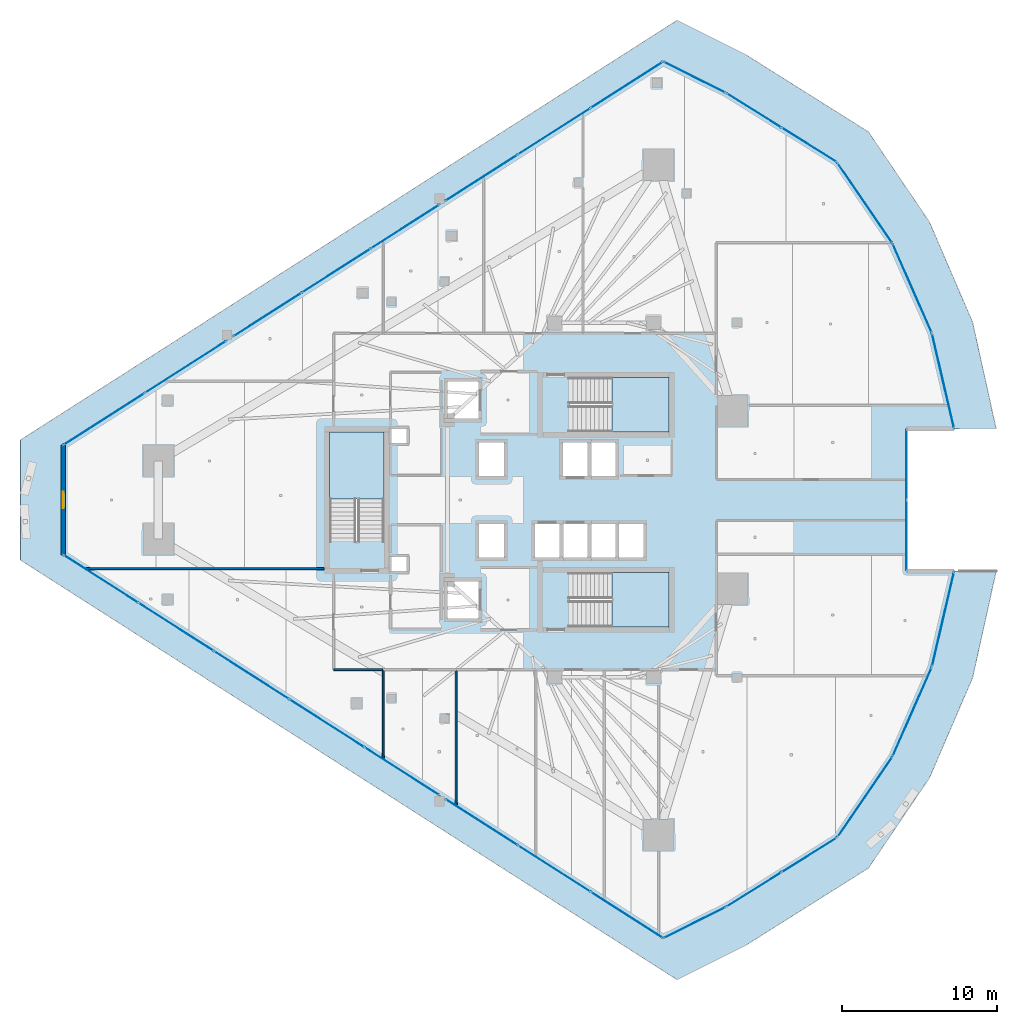
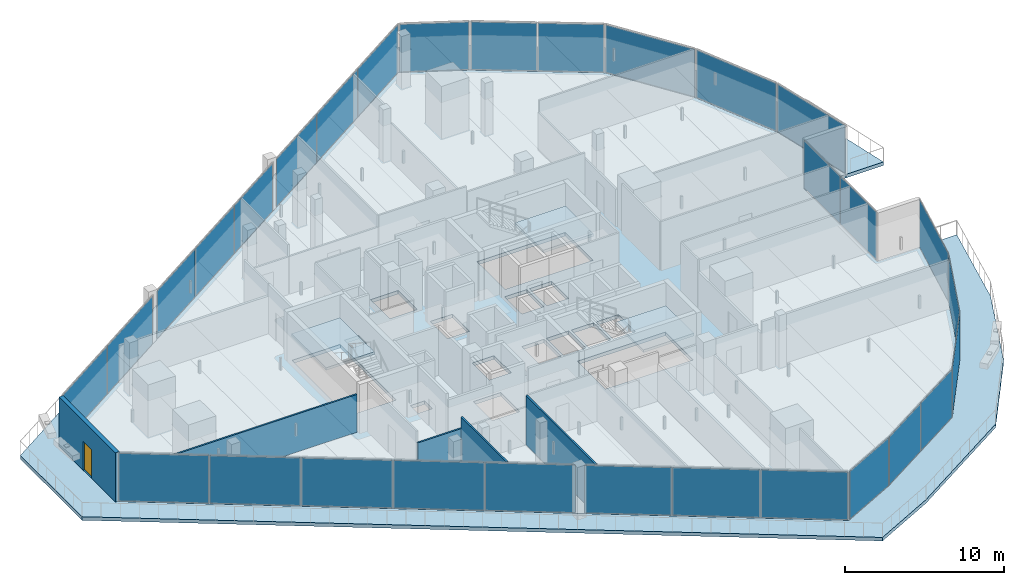
# One storey, part 24 of 37: 30 plates, 5 slabs, 5 walls, 1 door, 1 opening, 19 elements without a shape of their own.
"""IFC4 building model written with IfcOpenShell, lengths in metres."""

from ifc_helpers import new_model, si_unit, direction, frame, frame_2d, origin, origin_2d, place, context, subcontext, project, spatial, polyline, rectangle, outline, extrude, material, layer, layer_set, type_object, element, fill, aggregate, save


model = new_model("IFC4")

# Units and contexts
model_context = context("Model", 3, precision=1e-05, world=origin(), true_north=direction((0.0, 1.0)))
body_context = subcontext(model_context, "Body", "Model", "MODEL_VIEW")
ifc_project = project(units=[si_unit("LENGTHUNIT", "METRE"), si_unit("AREAUNIT", "SQUARE_METRE"), si_unit("VOLUMEUNIT", "CUBIC_METRE"), si_unit("PLANEANGLEUNIT", "RADIAN"), si_unit("MASSUNIT", "GRAM", prefix="KILO")], contexts=[model_context])

# Site, building, storey
site_placement = place(None, origin())
site = spatial("IfcSite", under=ifc_project, at=site_placement, CompositionType="ELEMENT")
building_placement = place(site_placement, origin())
building = spatial("IfcBuilding", under=site, at=building_placement, Name="Qorvath Tower", CompositionType="ELEMENT")
storey_placement = place(building_placement, frame((0.0, 0.0, 184.800048828125)))
storey = spatial("IfcBuildingStorey", under=building, at=storey_placement, Name="L42", CompositionType="ELEMENT", Elevation=184.800048828125)

# Curtain wall, plates
ifc_material_1 = material(Name="Anodised aluminium and triple low-E glass", Category="aluminium")
ifc_layer_1 = layer(ifc_material_1, 0.179931640625)
ifc_layer_set_1 = layer_set([ifc_layer_1], Name="CW-SYS-3")
curtain_wall_type = type_object("IfcCurtainWallType", Name="CW-SYS-3", PredefinedType="NOTDEFINED", material=ifc_layer_set_1)
curtain_wall_1_placement = place(storey_placement, origin())
curtain_wall_1 = element("IfcCurtainWall", 1, at=curtain_wall_1_placement, inside=storey, type_object=curtain_wall_type, Name="Curtain Wall CW-3 CW-T-L42-2.1", PredefinedType="NOTDEFINED")
ifc_material_2 = material(Name="Low-E triple insulated glass", Category="glass")
ifc_layer_2 = layer(ifc_material_2, 0.031982421875)
ifc_layer_set_2 = layer_set([ifc_layer_2], Name="CWP-GLZ-32")
plate_type = type_object("IfcPlateType", Name="CWP-GLZ-32", PredefinedType="CURTAIN_PANEL", material=ifc_layer_set_2)
plate_1_placement = place(storey_placement, frame((-52.881103515625, -5.103515625, 0.06494140625), z_axis=(0.0, 0.0, 1.0), x_axis=(0.842606647014, -0.53852951489, 0.0)))
plate_1 = element("IfcPlate", 2, at=plate_1_placement, type_object=plate_type, Name="CW-3 panel 1.1", PredefinedType="CURTAIN_PANEL", context=body_context, shape_type="SweptSolid", body=[
    extrude(rectangle(XDim=5.677734375, YDim=0.031982421875, at=origin_2d()), origin(), (0.0, 0.0, 1.0), 3.650146484375),
])
plate_2_placement = place(storey_placement, frame((-48.028564453125, -8.204833984375, 0.06494140625), z_axis=(0.0, 0.0, 1.0), x_axis=(0.842606647014, -0.53852951489, 0.0)))
plate_2 = element("IfcPlate", 3, at=plate_2_placement, type_object=plate_type, Name="CW-3 panel 2.1", PredefinedType="CURTAIN_PANEL", context=body_context, shape_type="SweptSolid", body=[
    extrude(rectangle(XDim=5.710205078125, YDim=0.031982421875, at=origin_2d()), origin(), (0.0, 0.0, 1.0), 3.650146484375),
])
plate_3_placement = place(storey_placement, frame((-43.162353515625, -11.31494140625, 0.06494140625), z_axis=(0.0, 0.0, 1.0), x_axis=(0.842606647014, -0.53852951489, 0.0)))
plate_3 = element("IfcPlate", 4, at=plate_3_placement, type_object=plate_type, Name="CW-3 panel 3.1", PredefinedType="CURTAIN_PANEL", context=body_context, shape_type="SweptSolid", body=[
    extrude(rectangle(XDim=5.710205078125, YDim=0.031982421875, at=origin_2d()), origin(), (0.0, 0.0, 1.0), 3.650146484375),
])
plate_4_placement = place(storey_placement, frame((-38.2958984375, -14.425048828125, 0.06494140625), z_axis=(0.0, 0.0, 1.0), x_axis=(0.842606647014, -0.53852951489, 0.0)))
plate_4 = element("IfcPlate", 5, at=plate_4_placement, type_object=plate_type, Name="CW-3 panel 4.1", PredefinedType="CURTAIN_PANEL", context=body_context, shape_type="SweptSolid", body=[
    extrude(rectangle(XDim=5.710205078125, YDim=0.031982421875, at=origin_2d()), origin(), (0.0, 0.0, 1.0), 3.650146484375),
])
plate_5_placement = place(storey_placement, frame((-33.443359375, -17.5263671875, 0.06494140625), z_axis=(0.0, 0.0, 1.0), x_axis=(0.842606647014, -0.53852951489, 0.0)))
plate_5 = element("IfcPlate", 6, at=plate_5_placement, type_object=plate_type, Name="CW-3 panel 5.1", PredefinedType="CURTAIN_PANEL", context=body_context, shape_type="SweptSolid", body=[
    extrude(rectangle(XDim=5.677734375, YDim=0.031982421875, at=origin_2d()), origin(), (0.0, 0.0, 1.0), 3.650146484375),
])
aggregate(curtain_wall_1, [plate_1, plate_2, plate_3, plate_4, plate_5])

curtain_wall_2_placement = place(storey_placement, origin())
curtain_wall_2 = element("IfcCurtainWall", 7, at=curtain_wall_2_placement, inside=storey, type_object=curtain_wall_type, Name="Curtain Wall CW-3 CW-T-L42-2.2", PredefinedType="NOTDEFINED")
plate_6_placement = place(storey_placement, frame((-28.284912109375, -20.823486328125, 0.06494140625), z_axis=(0.0, 0.0, 1.0), x_axis=(0.842605547852, -0.538531234683, 0.0)))
plate_6 = element("IfcPlate", 8, at=plate_6_placement, type_object=plate_type, Name="CW-3 panel 1.1", PredefinedType="CURTAIN_PANEL", context=body_context, shape_type="SweptSolid", body=[
    extrude(rectangle(XDim=5.474365234375, YDim=0.031982421875, at=origin_2d()), origin(), (0.0, 0.0, 1.0), 3.650146484375),
])
plate_7_placement = place(storey_placement, frame((-23.603759765625, -23.8154296875, 0.06494140625), z_axis=(0.0, 0.0, 1.0), x_axis=(0.842605547852, -0.538531234683, 0.0)))
plate_7 = element("IfcPlate", 9, at=plate_7_placement, type_object=plate_type, Name="CW-3 panel 2.1", PredefinedType="CURTAIN_PANEL", context=body_context, shape_type="SweptSolid", body=[
    extrude(rectangle(XDim=5.5068359375, YDim=0.031982421875, at=origin_2d()), origin(), (0.0, 0.0, 1.0), 3.650146484375),
])
plate_8_placement = place(storey_placement, frame((-18.92236328125, -26.807373046875, 0.06494140625), z_axis=(0.0, 0.0, 1.0), x_axis=(0.842605547852, -0.538531234683, 0.0)))
plate_8 = element("IfcPlate", 10, at=plate_8_placement, type_object=plate_type, Name="CW-3 panel 3.1", PredefinedType="CURTAIN_PANEL", context=body_context, shape_type="SweptSolid", body=[
    extrude(rectangle(XDim=5.474365234375, YDim=0.031982421875, at=origin_2d()), origin(), (0.0, 0.0, 1.0), 3.650146484375),
])
aggregate(curtain_wall_2, [plate_6, plate_7, plate_8])

# Curtain wall, plate
curtain_wall_3_placement = place(storey_placement, origin())
curtain_wall_3 = element("IfcCurtainWall", 11, at=curtain_wall_3_placement, inside=storey, type_object=curtain_wall_type, Name="Curtain Wall CW-3 CW-T-L42-3.1", PredefinedType="NOTDEFINED")
plate_9_placement = place(storey_placement, frame((-14.538818359375, -27.30517578125, 0.06494140625), z_axis=(0.0, 0.0, 1.0), x_axis=(0.894436035247, 0.447195906569, 0.0)))
plate_9 = element("IfcPlate", 12, at=plate_9_placement, type_object=plate_type, Name="CW-3 panel 1.1", PredefinedType="CURTAIN_PANEL", context=body_context, shape_type="SweptSolid", body=[
    extrude(rectangle(XDim=4.392578125, YDim=0.031982421875, at=origin_2d()), origin(), (0.0, 0.0, 1.0), 3.650146484375),
])
aggregate(curtain_wall_3, [plate_9])

# Curtain wall, plates
curtain_wall_4_placement = place(storey_placement, origin())
curtain_wall_4 = element("IfcCurtainWall", 13, at=curtain_wall_4_placement, inside=storey, type_object=curtain_wall_type, Name="Curtain Wall CW-3 CW-T-L42-4.1", PredefinedType="NOTDEFINED")
plate_10_placement = place(storey_placement, frame((-10.706298828125, -25.1650390625, 0.06494140625), z_axis=(0.0, 0.0, 1.0), x_axis=(0.848464403488, 0.529252450172, 0.0)))
plate_10 = element("IfcPlate", 14, at=plate_10_placement, type_object=plate_type, Name="CW-3 panel 1.1", PredefinedType="CURTAIN_PANEL", context=body_context, shape_type="SweptSolid", body=[
    extrude(rectangle(XDim=4.13623046875, YDim=0.031982421875, at=origin_2d()), origin(), (0.0, 0.0, 1.0), 3.650146484375),
])
plate_11_placement = place(storey_placement, frame((-7.1416015625, -22.94140625, 0.06494140625), z_axis=(0.0, 0.0, 1.0), x_axis=(0.848464403488, 0.529252450172, 0.0)))
plate_11 = element("IfcPlate", 15, at=plate_11_placement, type_object=plate_type, Name="CW-3 panel 2.1", PredefinedType="CURTAIN_PANEL", context=body_context, shape_type="SweptSolid", body=[
    extrude(rectangle(XDim=4.13623046875, YDim=0.031982421875, at=origin_2d()), origin(), (0.0, 0.0, 1.0), 3.650146484375),
])
aggregate(curtain_wall_4, [plate_10, plate_11])

# Curtain wall, plate
curtain_wall_5_placement = place(storey_placement, origin())
curtain_wall_5 = element("IfcCurtainWall", 16, at=curtain_wall_5_placement, inside=storey, type_object=curtain_wall_type, Name="Curtain Wall CW-3 CW-T-L42-5.1", PredefinedType="NOTDEFINED")
plate_12_placement = place(storey_placement, frame((-3.542724609375, -19.196044921875, 0.06494140625), z_axis=(0.0, 0.0, 1.0), x_axis=(0.564436196882, 0.825476698429, 0.0)))
plate_12 = element("IfcPlate", 17, at=plate_12_placement, type_object=plate_type, Name="CW-3 panel 1.1", PredefinedType="CURTAIN_PANEL", context=body_context, shape_type="SweptSolid", body=[
    extrude(rectangle(XDim=6.209228515625, YDim=0.031982421875, at=origin_2d()), origin(), (0.0, 0.0, 1.0), 3.650146484375),
])
aggregate(curtain_wall_5, [plate_12])

curtain_wall_6_placement = place(storey_placement, origin())
curtain_wall_6 = element("IfcCurtainWall", 18, at=curtain_wall_6_placement, inside=storey, type_object=curtain_wall_type, Name="Curtain Wall CW-3 CW-T-L42-6.1", PredefinedType="NOTDEFINED")
plate_13_placement = place(storey_placement, frame((-0.47900390625, -13.677734375, 0.06494140625), z_axis=(0.0, 0.0, 1.0), x_axis=(0.402206183786, 0.915549117046, 0.0)))
plate_13 = element("IfcPlate", 19, at=plate_13_placement, type_object=plate_type, Name="CW-3 panel 1.1", PredefinedType="CURTAIN_PANEL", context=body_context, shape_type="SweptSolid", body=[
    extrude(rectangle(XDim=6.208984375, YDim=0.031982421875, at=origin_2d()), origin(), (0.0, 0.0, 1.0), 3.650146484375),
])
aggregate(curtain_wall_6, [plate_13])

curtain_wall_7_placement = place(storey_placement, origin())
curtain_wall_7 = element("IfcCurtainWall", 20, at=curtain_wall_7_placement, inside=storey, type_object=curtain_wall_type, Name="Curtain Wall CW-3 CW-T-L42-7.1", PredefinedType="NOTDEFINED")
plate_14_placement = place(storey_placement, frame((1.512451171875, -7.688232421875, 0.06494140625), z_axis=(0.0, 0.0, 1.0), x_axis=(0.226069032147, 0.974111283532, 0.0)))
plate_14 = element("IfcPlate", 21, at=plate_14_placement, type_object=plate_type, Name="CW-3 panel 1.1", PredefinedType="CURTAIN_PANEL", context=body_context, shape_type="SweptSolid", body=[
    extrude(rectangle(XDim=6.209228515625, YDim=0.031982421875, at=origin_2d()), origin(), (0.0, 0.0, 1.0), 3.650146484375),
])
aggregate(curtain_wall_7, [plate_14])

# Curtain wall, plates
curtain_wall_8_placement = place(storey_placement, origin())
curtain_wall_8 = element("IfcCurtainWall", 22, at=curtain_wall_8_placement, inside=storey, type_object=curtain_wall_type, Name="Curtain Wall CW-3 CW-T-L42-9.1", PredefinedType="NOTDEFINED")
plate_15_placement = place(storey_placement, frame((-0.83837890625, -2.2841796875, 0.06494140625), z_axis=(0.0, 0.0, 1.0), x_axis=(0.0, 1.0, 0.0)))
plate_15 = element("IfcPlate", 23, at=plate_15_placement, type_object=plate_type, Name="CW-3 panel 1.1", PredefinedType="CURTAIN_PANEL", context=body_context, shape_type="SweptSolid", body=[
    extrude(rectangle(XDim=4.50341796875, YDim=0.031982421875, at=origin_2d()), origin(), (0.0, 0.0, 1.0), 3.650146484375),
])
plate_16_placement = place(storey_placement, frame((-0.83837890625, 2.2841796875, 0.06494140625), z_axis=(0.0, 0.0, 1.0), x_axis=(0.0, 1.0, 0.0)))
plate_16 = element("IfcPlate", 24, at=plate_16_placement, type_object=plate_type, Name="CW-3 panel 2.1", PredefinedType="CURTAIN_PANEL", context=body_context, shape_type="SweptSolid", body=[
    extrude(rectangle(XDim=4.50341796875, YDim=0.031982421875, at=origin_2d()), origin(), (0.0, 0.0, 1.0), 3.650146484375),
])
aggregate(curtain_wall_8, [plate_15, plate_16])

# Curtain wall, plate
curtain_wall_9_placement = place(storey_placement, origin())
curtain_wall_9 = element("IfcCurtainWall", 25, at=curtain_wall_9_placement, inside=storey, type_object=curtain_wall_type, Name="Curtain Wall CW-3 CW-T-L42-11.1", PredefinedType="NOTDEFINED")
plate_17_placement = place(storey_placement, frame((1.512451171875, 7.688232421875, 0.06494140625), z_axis=(0.0, 0.0, 1.0), x_axis=(-0.226069032147, 0.974111283532, 0.0)))
plate_17 = element("IfcPlate", 26, at=plate_17_placement, type_object=plate_type, Name="CW-3 panel 1.1", PredefinedType="CURTAIN_PANEL", context=body_context, shape_type="SweptSolid", body=[
    extrude(rectangle(XDim=6.209228515625, YDim=0.031982421875, at=origin_2d()), origin(), (0.0, 0.0, 1.0), 3.650146484375),
])
aggregate(curtain_wall_9, [plate_17])

curtain_wall_10_placement = place(storey_placement, origin())
curtain_wall_10 = element("IfcCurtainWall", 27, at=curtain_wall_10_placement, inside=storey, type_object=curtain_wall_type, Name="Curtain Wall CW-3 CW-T-L42-12.1", PredefinedType="NOTDEFINED")
plate_18_placement = place(storey_placement, frame((-0.47900390625, 13.677734375, 0.06494140625), z_axis=(0.0, 0.0, 1.0), x_axis=(-0.402206183786, 0.915549117046, 0.0)))
plate_18 = element("IfcPlate", 28, at=plate_18_placement, type_object=plate_type, Name="CW-3 panel 1.1", PredefinedType="CURTAIN_PANEL", context=body_context, shape_type="SweptSolid", body=[
    extrude(rectangle(XDim=6.208984375, YDim=0.031982421875, at=origin_2d()), origin(), (0.0, 0.0, 1.0), 3.650146484375),
])
aggregate(curtain_wall_10, [plate_18])

curtain_wall_11_placement = place(storey_placement, origin())
curtain_wall_11 = element("IfcCurtainWall", 29, at=curtain_wall_11_placement, inside=storey, type_object=curtain_wall_type, Name="Curtain Wall CW-3 CW-T-L42-13.1", PredefinedType="NOTDEFINED")
plate_19_placement = place(storey_placement, frame((-3.542724609375, 19.196044921875, 0.06494140625), z_axis=(0.0, 0.0, 1.0), x_axis=(-0.564436196882, 0.825476698429, 0.0)))
plate_19 = element("IfcPlate", 30, at=plate_19_placement, type_object=plate_type, Name="CW-3 panel 1.1", PredefinedType="CURTAIN_PANEL", context=body_context, shape_type="SweptSolid", body=[
    extrude(rectangle(XDim=6.209228515625, YDim=0.031982421875, at=origin_2d()), origin(), (0.0, 0.0, 1.0), 3.650146484375),
])
aggregate(curtain_wall_11, [plate_19])

# Curtain wall, plates
curtain_wall_12_placement = place(storey_placement, origin())
curtain_wall_12 = element("IfcCurtainWall", 31, at=curtain_wall_12_placement, inside=storey, type_object=curtain_wall_type, Name="Curtain Wall CW-3 CW-T-L42-14.1", PredefinedType="NOTDEFINED")
plate_20_placement = place(storey_placement, frame((-7.1416015625, 22.94140625, 0.06494140625), z_axis=(0.0, 0.0, 1.0), x_axis=(-0.848464403488, 0.529252450172, 0.0)))
plate_20 = element("IfcPlate", 32, at=plate_20_placement, type_object=plate_type, Name="CW-3 panel 1.1", PredefinedType="CURTAIN_PANEL", context=body_context, shape_type="SweptSolid", body=[
    extrude(rectangle(XDim=4.13623046875, YDim=0.031982421875, at=origin_2d()), origin(), (0.0, 0.0, 1.0), 3.650146484375),
])
plate_21_placement = place(storey_placement, frame((-10.706298828125, 25.1650390625, 0.06494140625), z_axis=(0.0, 0.0, 1.0), x_axis=(-0.848464403488, 0.529252450172, 0.0)))
plate_21 = element("IfcPlate", 33, at=plate_21_placement, type_object=plate_type, Name="CW-3 panel 2.1", PredefinedType="CURTAIN_PANEL", context=body_context, shape_type="SweptSolid", body=[
    extrude(rectangle(XDim=4.13623046875, YDim=0.031982421875, at=origin_2d()), origin(), (0.0, 0.0, 1.0), 3.650146484375),
])
aggregate(curtain_wall_12, [plate_20, plate_21])

# Curtain wall, plate
curtain_wall_13_placement = place(storey_placement, origin())
curtain_wall_13 = element("IfcCurtainWall", 34, at=curtain_wall_13_placement, inside=storey, type_object=curtain_wall_type, Name="Curtain Wall CW-3 CW-T-L42-15.1", PredefinedType="NOTDEFINED")
plate_22_placement = place(storey_placement, frame((-14.538818359375, 27.30517578125, 0.06494140625), z_axis=(0.0, 0.0, 1.0), x_axis=(-0.894436035247, 0.447195906569, 0.0)))
plate_22 = element("IfcPlate", 35, at=plate_22_placement, type_object=plate_type, Name="CW-3 panel 1.1", PredefinedType="CURTAIN_PANEL", context=body_context, shape_type="SweptSolid", body=[
    extrude(rectangle(XDim=4.392578125, YDim=0.031982421875, at=origin_2d()), origin(), (0.0, 0.0, 1.0), 3.650146484375),
])
aggregate(curtain_wall_13, [plate_22])

# Curtain wall, plates
curtain_wall_14_placement = place(storey_placement, origin())
curtain_wall_14 = element("IfcCurtainWall", 36, at=curtain_wall_14_placement, inside=storey, type_object=curtain_wall_type, Name="Curtain Wall CW-3 CW-T-L42-16.1", PredefinedType="NOTDEFINED")
plate_23_placement = place(storey_placement, frame((-18.92236328125, 26.807373046875, 0.06494140625), z_axis=(0.0, 0.0, 1.0), x_axis=(-0.842605547852, -0.538531234683, 0.0)))
plate_23 = element("IfcPlate", 37, at=plate_23_placement, type_object=plate_type, Name="CW-3 panel 1.1", PredefinedType="CURTAIN_PANEL", context=body_context, shape_type="SweptSolid", body=[
    extrude(rectangle(XDim=5.474365234375, YDim=0.031982421875, at=origin_2d()), origin(), (0.0, 0.0, 1.0), 3.650146484375),
])
plate_24_placement = place(storey_placement, frame((-23.603759765625, 23.8154296875, 0.06494140625), z_axis=(0.0, 0.0, 1.0), x_axis=(-0.842605547852, -0.538531234683, 0.0)))
plate_24 = element("IfcPlate", 38, at=plate_24_placement, type_object=plate_type, Name="CW-3 panel 2.1", PredefinedType="CURTAIN_PANEL", context=body_context, shape_type="SweptSolid", body=[
    extrude(rectangle(XDim=5.5068359375, YDim=0.031982421875, at=origin_2d()), origin(), (0.0, 0.0, 1.0), 3.650146484375),
])
plate_25_placement = place(storey_placement, frame((-28.284912109375, 20.823486328125, 0.06494140625), z_axis=(0.0, 0.0, 1.0), x_axis=(-0.842605547852, -0.538531234683, 0.0)))
plate_25 = element("IfcPlate", 39, at=plate_25_placement, type_object=plate_type, Name="CW-3 panel 3.1", PredefinedType="CURTAIN_PANEL", context=body_context, shape_type="SweptSolid", body=[
    extrude(rectangle(XDim=5.474365234375, YDim=0.031982421875, at=origin_2d()), origin(), (0.0, 0.0, 1.0), 3.650146484375),
])
aggregate(curtain_wall_14, [plate_23, plate_24, plate_25])

curtain_wall_15_placement = place(storey_placement, origin())
curtain_wall_15 = element("IfcCurtainWall", 40, at=curtain_wall_15_placement, inside=storey, type_object=curtain_wall_type, Name="Curtain Wall CW-3 CW-T-L42-16.2", PredefinedType="NOTDEFINED")
plate_26_placement = place(storey_placement, frame((-33.238525390625, 17.657470703125, 0.06494140625), z_axis=(0.0, 0.0, 1.0), x_axis=(-0.842604429493, -0.538532984504, 0.0)))
plate_26 = element("IfcPlate", 41, at=plate_26_placement, type_object=plate_type, Name="CW-3 panel 1.1", PredefinedType="CURTAIN_PANEL", context=body_context, shape_type="SweptSolid", body=[
    extrude(rectangle(XDim=5.19140625, YDim=0.031982421875, at=origin_2d()), origin(), (0.0, 0.0, 1.0), 3.650146484375),
])
plate_27_placement = place(storey_placement, frame((-37.681396484375, 14.81787109375, 0.06494140625), z_axis=(0.0, 0.0, 1.0), x_axis=(-0.842604429493, -0.538532984504, 0.0)))
plate_27 = element("IfcPlate", 42, at=plate_27_placement, type_object=plate_type, Name="CW-3 panel 2.1", PredefinedType="CURTAIN_PANEL", context=body_context, shape_type="SweptSolid", body=[
    extrude(rectangle(XDim=5.223876953125, YDim=0.031982421875, at=origin_2d()), origin(), (0.0, 0.0, 1.0), 3.650146484375),
])
plate_28_placement = place(storey_placement, frame((-42.124267578125, 11.978271484375, 0.06494140625), z_axis=(0.0, 0.0, 1.0), x_axis=(-0.842604429493, -0.538532984504, 0.0)))
plate_28 = element("IfcPlate", 43, at=plate_28_placement, type_object=plate_type, Name="CW-3 panel 3.1", PredefinedType="CURTAIN_PANEL", context=body_context, shape_type="SweptSolid", body=[
    extrude(rectangle(XDim=5.19140625, YDim=0.031982421875, at=origin_2d()), origin(), (0.0, 0.0, 1.0), 3.650146484375),
])
aggregate(curtain_wall_15, [plate_26, plate_27, plate_28])

curtain_wall_16_placement = place(storey_placement, origin())
curtain_wall_16 = element("IfcCurtainWall", 44, at=curtain_wall_16_placement, inside=storey, type_object=curtain_wall_type, Name="Curtain Wall CW-3 CW-T-L42-16.3", PredefinedType="NOTDEFINED")
plate_29_placement = place(storey_placement, frame((-47.42919921875, 8.587890625, 0.06494140625), z_axis=(0.0, 0.0, 1.0), x_axis=(-0.842607468458, -0.538528229621, 0.0)))
plate_29 = element("IfcPlate", 45, at=plate_29_placement, type_object=plate_type, Name="CW-3 panel 1.1", PredefinedType="CURTAIN_PANEL", context=body_context, shape_type="SweptSolid", body=[
    extrude(rectangle(XDim=6.16259765625, YDim=0.031982421875, at=origin_2d()), origin(), (0.0, 0.0, 1.0), 3.650146484375),
])
plate_30_placement = place(storey_placement, frame((-52.6767578125, 5.23388671875, 0.06494140625), z_axis=(0.0, 0.0, 1.0), x_axis=(-0.842607468458, -0.538528229621, 0.0)))
plate_30 = element("IfcPlate", 46, at=plate_30_placement, type_object=plate_type, Name="CW-3 panel 2.1", PredefinedType="CURTAIN_PANEL", context=body_context, shape_type="SweptSolid", body=[
    extrude(rectangle(XDim=6.16259765625, YDim=0.031982421875, at=origin_2d()), origin(), (0.0, 0.0, 1.0), 3.650146484375),
])
aggregate(curtain_wall_16, [plate_29, plate_30])

# Stair, slab
ifc_material_3 = material(Name="Concrete C50/60", Category="concrete")
stair_type = type_object("IfcStairType", Name="ST-H405", PredefinedType="HALF_TURN_STAIR", material=ifc_material_3)
stair_1_placement = place(storey_placement, origin())
stair_1 = element("IfcStair", 47, at=stair_1_placement, inside=storey, type_object=stair_type, Name="L42 Tower Exit Stair 1", PredefinedType="HALF_TURN_STAIR")
ifc_material_4 = material(Name="Concrete C50/60", Category="concrete")
ifc_layer_3 = layer(ifc_material_4, 0.199951171875)
ifc_layer_set_3 = layer_set([ifc_layer_3], Name="SL-LND-200")
slab_type_1 = type_object("IfcSlabType", Name="SL-LND-200", PredefinedType="LANDING", material=ifc_layer_set_3)
slab_1_placement = place(storey_placement, frame((0.0, 0.0, 1.824951171875)))
slab_1 = element("IfcSlab", 48, at=slab_1_placement, type_object=slab_type_1, Name="TS1 landing 1", PredefinedType="LANDING", context=body_context, shape_type="SweptSolid", body=[
    extrude(outline(polyline([(-19.8701171875, 4.39990234375), (-16.199951171875, 4.39990234375), (-16.199951171875, 7.909912109375), (-19.8701171875, 7.909912109375), (-19.8701171875, 4.39990234375)])), origin(), (0.0, 0.0, 1.0), 0.199951171875),
])
aggregate(stair_1, [slab_1])

stair_2_placement = place(storey_placement, origin())
stair_2 = element("IfcStair", 49, at=stair_2_placement, inside=storey, type_object=stair_type, Name="L42 Tower Exit Stair 2", PredefinedType="HALF_TURN_STAIR")
slab_2_placement = place(storey_placement, frame((0.0, 0.0, 1.824951171875)))
slab_2 = element("IfcSlab", 50, at=slab_2_placement, type_object=slab_type_1, Name="TS2 landing 1", PredefinedType="LANDING", context=body_context, shape_type="SweptSolid", body=[
    extrude(outline(polyline([(-19.8701171875, -8.199951171875), (-16.199951171875, -8.199951171875), (-16.199951171875, -4.68994140625), (-19.8701171875, -4.68994140625), (-19.8701171875, -8.199951171875)])), origin(), (0.0, 0.0, 1.0), 0.199951171875),
])
aggregate(stair_2, [slab_2])

stair_3_placement = place(storey_placement, origin())
stair_3 = element("IfcStair", 51, at=stair_3_placement, inside=storey, type_object=stair_type, Name="L42 Tower Exit Stair 3", PredefinedType="HALF_TURN_STAIR")
slab_3_placement = place(storey_placement, frame((0.0, 0.0, 1.824951171875)))
slab_3 = element("IfcSlab", 52, at=slab_3_placement, type_object=slab_type_1, Name="TS3 landing 1", PredefinedType="LANDING", context=body_context, shape_type="SweptSolid", body=[
    extrude(outline(polyline([(-34.60009765625, 0.080078125), (-34.60009765625, 4.39990234375), (-38.110107421875, 4.39990234375), (-38.110107421875, 0.080078125), (-34.60009765625, 0.080078125)])), origin(), (0.0, 0.0, 1.0), 0.199951171875),
])
aggregate(stair_3, [slab_3])

# Slabs
ifc_material_5 = material(Name="Precast concrete C45/55", Category="concrete")
ifc_layer_4 = layer(ifc_material_5, 0.27001953125)
ifc_layer_set_4 = layer_set([ifc_layer_4], Name="SL-LOG-270")
slab_type_2 = type_object("IfcSlabType", Name="SL-LOG-270", PredefinedType="FLOOR", material=ifc_layer_set_4)
slab_4_placement = place(storey_placement, frame((0.0, 0.0, -0.27001953125)))
element("IfcSlab", 53, at=slab_4_placement, inside=storey, type_object=slab_type_2, Name="Tower L42 Perimeter Loggia and Terrace Slab", PredefinedType="FLOOR", context=body_context, shape_type="SweptSolid", body=[
    extrude(outline(polyline([(2.22900390625, -4.600830078125), (0.7958984375, -10.77587890625), (-1.753662109375, -16.57958984375), (-5.331787109375, -21.8125), (-12.51611328125, -26.2939453125), (-16.561279296875, -28.31640625), (-55.327880859375, -3.53955078125), (-55.327880859375, 3.53955078125), (-16.561279296875, 28.31640625), (-12.51611328125, 26.2939453125), (-5.331787109375, 21.8125), (-1.753662109375, 16.57958984375), (0.7958984375, 10.77587890625), (2.22900390625, 4.600830078125), (4.9453125, 4.600830078125), (3.4228515625, 11.4794921875), (0.636474609375, 17.95068359375), (-3.314697265625, 23.78369140625), (-11.245361328125, 28.771484375), (-15.671875, 30.984619140625), (-58.09130859375, 3.873046875), (-58.09130859375, -3.873046875), (-15.671875, -30.984619140625), (-11.245361328125, -28.771484375), (-3.314697265625, -23.78369140625), (0.636474609375, -17.95068359375), (3.4228515625, -11.4794921875), (4.9453125, -4.600830078125), (2.22900390625, -4.600830078125)])), origin(), (0.0, 0.0, 1.0), 0.27001953125),
])
ifc_material_6 = material(Name="Concrete C45/55", Category="concrete")
ifc_layer_5 = layer(ifc_material_6, 0.27001953125)
ifc_layer_set_5 = layer_set([ifc_layer_5], Name="SL-MID-270")
slab_type_3 = type_object("IfcSlabType", Name="SL-MID-270", PredefinedType="FLOOR", material=ifc_layer_set_5)
slab_5_placement = place(storey_placement, frame((0.0, 0.0, -0.27001953125)))
element("IfcSlab", 54, at=slab_5_placement, inside=storey, type_object=slab_type_3, Name="Tower L42 Interior Floor Slab", PredefinedType="FLOOR", context=body_context, shape_type="SweptSolid", body=[
    extrude(outline(polyline([(-55.327880859375, 3.53955078125), (-55.327880859375, -3.53955078125), (-16.561279296875, -28.31640625), (-12.51611328125, -26.2939453125), (-5.331787109375, -21.8125), (-1.753662109375, -16.57958984375), (0.7958984375, -10.77587890625), (2.22900390625, -4.600830078125), (-0.83837890625, -4.600830078125), (-0.83837890625, 4.600830078125), (2.22900390625, 4.600830078125), (0.7958984375, 10.77587890625), (-1.753662109375, 16.57958984375), (-5.331787109375, 21.8125), (-12.51611328125, 26.2939453125), (-16.561279296875, 28.31640625), (-55.327880859375, 3.53955078125)]), holes=[polyline([(-22.625, -8.199951171875), (-22.625, -4.68994140625), (-16.2451171875, -4.68994140625), (-16.2451171875, -8.199951171875), (-22.625, -8.199951171875)]), polyline([(-22.625, 4.39990234375), (-22.625, 7.909912109375), (-16.2451171875, 7.909912109375), (-16.2451171875, 4.39990234375), (-22.625, 4.39990234375)]), polyline([(-19.449951171875, -3.699951171875), (-19.449951171875, -1.550048828125), (-17.85009765625, -1.550048828125), (-17.85009765625, -3.699951171875), (-19.449951171875, -3.699951171875)]), polyline([(-21.25, -3.699951171875), (-21.25, -1.550048828125), (-19.64990234375, -1.550048828125), (-19.64990234375, -3.699951171875), (-21.25, -3.699951171875)]), polyline([(-21.25, 1.550048828125), (-21.25, 3.699951171875), (-19.64990234375, 3.699951171875), (-19.64990234375, 1.550048828125), (-21.25, 1.550048828125)]), polyline([(-23.050048828125, -3.699951171875), (-23.050048828125, -1.550048828125), (-21.449951171875, -1.550048828125), (-21.449951171875, -3.699951171875), (-23.050048828125, -3.699951171875)]), polyline([(-23.050048828125, 1.550048828125), (-23.050048828125, 3.699951171875), (-21.449951171875, 3.699951171875), (-21.449951171875, 1.550048828125), (-23.050048828125, 1.550048828125)]), polyline([(-24.85009765625, -3.699951171875), (-24.85009765625, -1.550048828125), (-23.25, -1.550048828125), (-23.25, -3.699951171875), (-24.85009765625, -3.699951171875)]), polyline([(-28.449951171875, -3.699951171875), (-28.449951171875, -1.550048828125), (-26.85009765625, -1.550048828125), (-26.85009765625, -3.699951171875), (-28.449951171875, -3.699951171875)]), polyline([(-28.449951171875, 1.550048828125), (-28.449951171875, 3.699951171875), (-26.85009765625, 3.699951171875), (-26.85009765625, 1.550048828125), (-28.449951171875, 1.550048828125)]), polyline([(-28.5, -7.64990234375), (-30.5, -7.64990234375), (-30.5, -5.25), (-28.5, -5.25), (-28.5, -7.64990234375)]), polyline([(-30.5, 5.25), (-30.5, 7.64990234375), (-28.5, 7.64990234375), (-28.5, 5.25), (-30.5, 5.25)]), polyline([(-34.14990234375, -4.6201171875), (-34.14990234375, -3.64990234375), (-33.10009765625, -3.64990234375), (-33.10009765625, -4.6201171875), (-34.14990234375, -4.6201171875)]), polyline([(-34.14990234375, 3.64990234375), (-34.14990234375, 4.6201171875), (-33.10009765625, 4.6201171875), (-33.10009765625, 3.64990234375), (-34.14990234375, 3.64990234375)]), polyline([(-34.60009765625, -2.675048828125), (-38.110107421875, -2.675048828125), (-38.110107421875, 4.35498046875), (-34.60009765625, 4.35498046875), (-34.60009765625, -2.675048828125)])]), origin(), (0.0, 0.0, 1.0), 0.27001953125),
])

# Walls
ifc_material_7 = material(Name="Gypsum board on metal studs with mineral wool", Category="gypsum")
ifc_layer_6 = layer(ifc_material_7, 0.125)
ifc_layer_set_6 = layer_set([ifc_layer_6], Name="IW-PART-125")
wall_type_1 = type_object("IfcWallType", Name="IW-PART-125", PredefinedType="PARTITIONING", material=ifc_layer_set_6)
wall_1_placement = place(storey_placement, frame((-34.64990234375, -10.98291015625, 0.0), z_axis=(0.0, 0.0, 1.0), x_axis=(0.0, -1.0, 0.0)))
element("IfcWall", 55, at=wall_1_placement, inside=storey, type_object=wall_type_1, Name="Interior Partition IW-T1-L42-029", PredefinedType="PARTITIONING", context=body_context, shape_type="SweptSolid", body=[
    extrude(rectangle(XDim=5.692626953125, YDim=0.125, at=frame_2d((2.84619140625, 0.0))), origin(), (0.0, 0.0, 1.0), 3.780029296875),
])
wall_2_placement = place(storey_placement, frame((-29.937744140625, -19.687255859375, 0.0), z_axis=(0.0, 0.0, 1.0), x_axis=(0.0, 1.0, 0.0)))
element("IfcWall", 56, at=wall_2_placement, inside=storey, type_object=wall_type_1, Name="Interior Partition IW-T1-L42-030", PredefinedType="PARTITIONING", context=body_context, shape_type="SweptSolid", body=[
    extrude(rectangle(XDim=8.704345703125, YDim=0.125, at=frame_2d((4.35205078125, 0.0))), origin(), (0.0, 0.0, 1.0), 3.780029296875),
])
wall_3_placement = place(storey_placement, frame((-37.8330078125, -10.9580078125, 0.0), z_axis=(0.0, 0.0, 1.0), x_axis=(1.0, 0.0, 0.0)))
element("IfcWall", 57, at=wall_3_placement, inside=storey, type_object=wall_type_1, Name="Interior Partition IW-T1-L42-049", PredefinedType="PARTITIONING", context=body_context, shape_type="SweptSolid", body=[
    extrude(rectangle(XDim=3.14990234375, YDim=0.125, at=frame_2d((1.574951171875, 0.0))), origin(), (0.0, 0.0, 1.0), 2.89990234375),
])
wall_4_placement = place(storey_placement, frame((-38.492919921875, -4.43408203125, 0.0), z_axis=(0.0, 0.0, 1.0), x_axis=(-1.0, 0.0, 0.0)))
element("IfcWall", 58, at=wall_4_placement, inside=storey, type_object=wall_type_1, Name="Interior Partition IW-T1-L42-051", PredefinedType="PARTITIONING", context=body_context, shape_type="SweptSolid", body=[
    extrude(rectangle(XDim=15.355224609375, YDim=0.125, at=frame_2d((7.677734375, 0.0))), origin(), (0.0, 0.0, 1.0), 2.89990234375),
])

# Wall, opening, door
ifc_material_8 = material(Name="Precast concrete C45/55", Category="concrete")
ifc_layer_7 = layer(ifc_material_8, 0.300048828125)
ifc_layer_set_7 = layer_set([ifc_layer_7], Name="WL-EW-LOG-300")
wall_type_2 = type_object("IfcWallType", Name="WL-EW-LOG-300", PredefinedType="SOLIDWALL", material=ifc_layer_set_7)
wall_5_placement = place(storey_placement, frame((-55.327880859375, -3.53955078125, 0.0), z_axis=(0.0, 0.0, 1.0), x_axis=(0.0, 1.0, 0.0)))
wall_5 = element("IfcWall", 59, at=wall_5_placement, inside=storey, type_object=wall_type_2, Name="Tower Precast Loggia Wall L42-1.1", PredefinedType="SOLIDWALL", context=body_context, shape_type="SweptSolid", body=[
    extrude(rectangle(XDim=7.0791015625, YDim=0.300048828125, at=frame_2d((3.53955078125, 0.0))), origin(), (0.0, 0.0, 1.0), 3.780029296875),
])
opening_placement = place(wall_5_placement, frame((3.0146484375, 0.0, 0.0)))
opening = element("IfcOpeningElement", 60, at=opening_placement, cuts=wall_5, Name="Opening ED-L42-01", PredefinedType="OPENING", context=body_context, shape_type="SweptSolid", body=[
    extrude(rectangle(XDim=1.050048828125, YDim=2.199951171875, at=frame_2d((0.52490234375, 1.10009765625))), frame((0.0, 0.16015625, 0.0), z_axis=(0.0, -1.0, 0.0), x_axis=(1.0, 0.0, 0.0)), (0.0, 0.0, 1.0), 0.320068359375),
])
ifc_material_9 = material(Name="Thermally broken aluminium glazed door", Category="aluminium")
door_type = type_object("IfcDoorType", Name="ED-LOG", OperationType="NOTDEFINED", PredefinedType="DOOR", material=ifc_material_9)
door_placement = place(opening_placement, origin())
door = element("IfcDoor", 61, at=door_placement, inside=storey, type_object=door_type, Name="L42 Recessed Loggia Access Door 1", OperationType="SINGLE_SWING_LEFT", OverallHeight=2.199951171875, OverallWidth=1.050048828125, PredefinedType="DOOR", context=body_context, shape_type="SweptSolid", body=[
    extrude(rectangle(XDim=1.050048828125, YDim=2.199951171875, at=frame_2d((0.52490234375, 1.10009765625))), frame((0.0, 0.02490234375, 0.0), z_axis=(0.0, -1.0, 0.0), x_axis=(1.0, 0.0, 0.0)), (0.0, 0.0, 1.0), 0.050048828125),
])
fill(opening, door)

save(model, "model.ifc")
